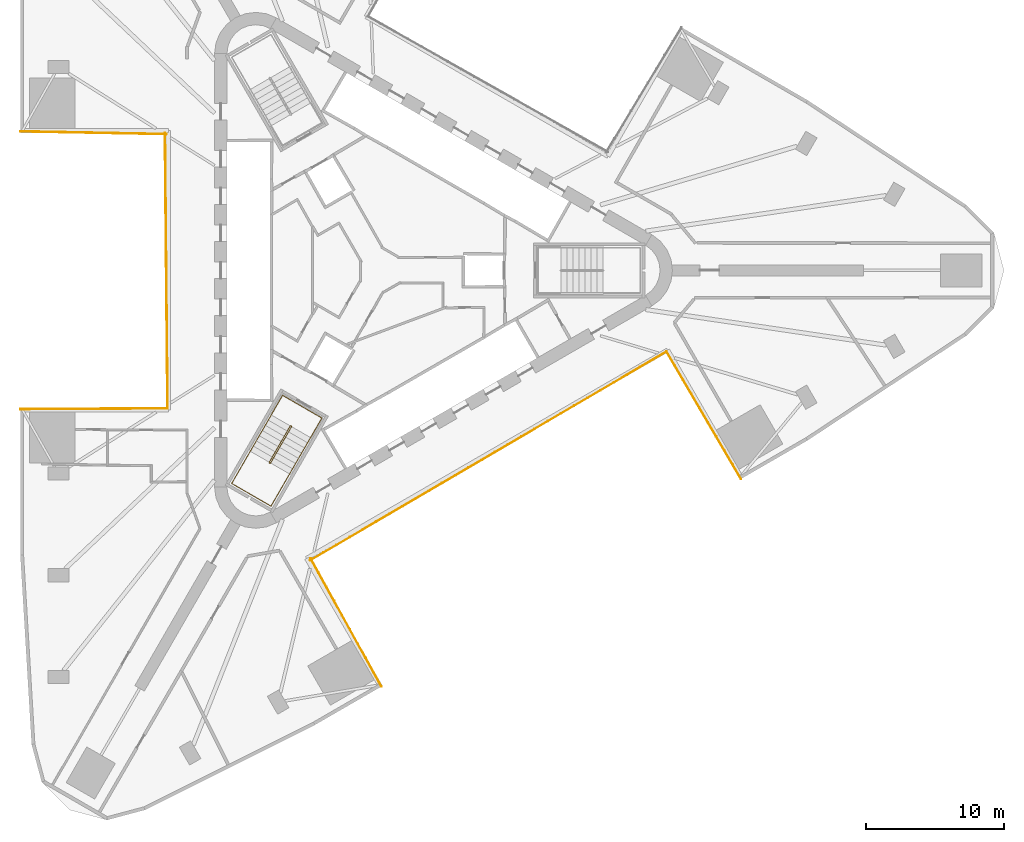
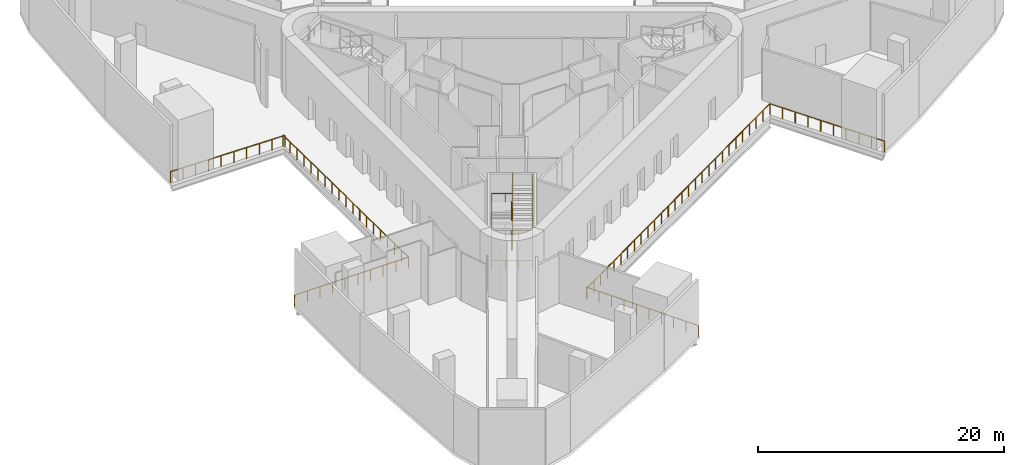
# One storey, part 9 of 11: 11 railings.
"""IFC4 building model written with IfcOpenShell, lengths in metres."""

import ifcopenshell
import ifcopenshell.guid

model = None  # the IFC model being written
_history = None  # IfcOwnerHistory: only IFC2X3 demands one
_inside = {}  # id of a spatial element -> (the spatial element, [elements in it])
_under = {}  # id of a project, library or spatial element -> (it, [spatial elements below it])
_declared = {}  # id of a project -> (the project, [libraries it declares])
_typed = {}  # id of a type object -> (the type object, [elements of that type])
_made_of = {}  # id of a material, layer set ... -> (it, [elements and type objects made of it])


def new_model(schema):
    """Start an empty IFC model of exactly this schema.

    Asked for "IFC4X3", IfcOpenShell would pick the latest addendum, in which some entities
    have other attributes; the version numbers below select the first issue.
    IFC2X3 requires an IfcOwnerHistory on every rooted entity: one is made here for all.
    """
    global model, _history
    if schema == "IFC4X3":
        model = ifcopenshell.file(schema_version=(4, 3, 0, 0))
    else:
        model = ifcopenshell.file(schema=schema)
    _inside.clear()
    _under.clear()
    _declared.clear()
    _typed.clear()
    _made_of.clear()
    _history = None
    if model.schema == "IFC2X3":
        org = make("IfcOrganization", Name="unknown")
        user = make(
            "IfcPersonAndOrganization",
            ThePerson=make("IfcPerson", FamilyName="unknown"),
            TheOrganization=org,
        )
        app = make(
            "IfcApplication",
            ApplicationDeveloper=org,
            Version="unknown",
            ApplicationFullName="unknown",
            ApplicationIdentifier="unknown",
        )
        _history = make(
            "IfcOwnerHistory",
            OwningUser=user,
            OwningApplication=app,
            ChangeAction="ADDED",
            CreationDate=0,
        )
    return model


def make(cls, **values):
    """One entity of the class cls with the attributes given. An attribute that is None is left unset."""
    return model.create_entity(
        cls, **{name: value for name, value in values.items() if value is not None}
    )


def rooted(cls, **values):
    """An entity with a GlobalId (a new one), such as an element, a storey or a relation."""
    return make(cls, GlobalId=ifcopenshell.guid.new(), OwnerHistory=_history, **values)


def si_unit(unit_type, name, prefix=None):
    """IfcSIUnit, for example si_unit("LENGTHUNIT", "METRE", prefix="MILLI")."""
    return make("IfcSIUnit", UnitType=unit_type, Prefix=prefix, Name=name)


def assignment(units):
    """IfcUnitAssignment: the units of a project."""
    return None if units is None else make("IfcUnitAssignment", Units=units)


def point(xyz):
    """IfcCartesianPoint."""
    return None if xyz is None else make("IfcCartesianPoint", Coordinates=xyz)


def direction(xyz):
    """IfcDirection."""
    return None if xyz is None else make("IfcDirection", DirectionRatios=xyz)


def frame(location, z_axis=None, x_axis=None):
    """IfcAxis2Placement3D, a coordinate frame: its origin and axes. An axis left out is left unset."""
    return make(
        "IfcAxis2Placement3D",
        Location=point(location),
        Axis=direction(z_axis),
        RefDirection=direction(x_axis),
    )


def frame_2d(location, x_axis=None):
    """IfcAxis2Placement2D, a coordinate frame in the plane: its origin and x axis."""
    return make(
        "IfcAxis2Placement2D", Location=point(location), RefDirection=direction(x_axis)
    )


def origin():
    """The frame at (0, 0, 0) with its axes left unset."""
    return frame((0.0, 0.0, 0.0))


def origin_2d():
    """The frame at (0, 0) in the plane with its x axis left unset."""
    return frame_2d((0.0, 0.0))


def place(relative_to, where):
    """IfcLocalPlacement: puts the frame where relative to a parent placement (None: the world)."""
    return make(
        "IfcLocalPlacement", PlacementRelTo=relative_to, RelativePlacement=where
    )


def context(
    kind, dimensions, precision=None, world=None, true_north=None, identifier=None
):
    """IfcGeometricRepresentationContext, for example the 3D "Model" context."""
    return make(
        "IfcGeometricRepresentationContext",
        ContextIdentifier=identifier,
        ContextType=kind,
        CoordinateSpaceDimension=dimensions,
        Precision=precision,
        WorldCoordinateSystem=world,
        TrueNorth=true_north,
    )


def subcontext(parent, identifier, kind, view, scale=None):
    """IfcGeometricRepresentationSubContext, for example "Body" below "Model"."""
    return make(
        "IfcGeometricRepresentationSubContext",
        ContextIdentifier=identifier,
        ContextType=kind,
        ParentContext=parent,
        TargetScale=scale,
        TargetView=view,
    )


def project(units=None, contexts=None):
    """IfcProject with its units and contexts."""
    return rooted(
        "IfcProject",
        Name="project",
        RepresentationContexts=contexts,
        UnitsInContext=assignment(units),
    )


def spatial(cls, under=None, at=None, **own):
    """A site, building, storey or space (cls), placed at a placement, below another one or the project."""
    s = rooted(cls, ObjectPlacement=at, **own)
    if under is not None:
        _under.setdefault(under.id(), (under, []))[1].append(s)
    return s


def profile(cls, at=None, kind="AREA", **sizes):
    """A parametric profile (cls). Its sizes go by their IFC names, for example OverallWidth=200.0."""
    return make(cls, ProfileType=kind, Position=at, **sizes)


def circle(**sizes):
    """IfcCircleProfileDef."""
    return profile("IfcCircleProfileDef", **sizes)


def extrude(swept, where, along, depth):
    """IfcExtrudedAreaSolid: the profile swept, set in the frame where, extruded along a direction by depth."""
    return make(
        "IfcExtrudedAreaSolid",
        SweptArea=swept,
        Position=where,
        ExtrudedDirection=direction(along),
        Depth=depth,
    )


def shape(context_of_items, identifier, shape_type, items):
    """IfcShapeRepresentation: the items that make up one representation, for example the "Body"."""
    return make(
        "IfcShapeRepresentation",
        ContextOfItems=context_of_items,
        RepresentationIdentifier=identifier,
        RepresentationType=shape_type,
        Items=items,
    )


def material(Name=None, Category=None):
    """IfcMaterial."""
    return make("IfcMaterial", Name=Name, Category=Category)


def made_of(thing, what):
    """Note that an element or type object is made of a material, layer set ...; save() writes the relation."""
    if what is not None:
        _made_of.setdefault(what.id(), (what, []))[1].append(thing)
    return thing


def type_object(cls, material=None, **own):
    """A type object (cls), such as IfcWallType, which elements share."""
    return made_of(rooted(cls, **own), material)


def element(
    cls,
    number,
    at=None,
    inside=None,
    cuts=None,
    type_object=None,
    material=None,
    context=None,
    identifier="Body",
    shape_type=None,
    held_by="IfcProductDefinitionShape",
    body=None,
    shapes=None,
    **own,
):
    """One element of the class cls, such as IfcWall. Its Tag is "e" and its number.

    at: its placement. inside: the storey or other place that contains it. cuts: it is an
    opening in that element (IfcRelVoidsElement). A single representation is given by context,
    identifier, shape_type and body (its items); several are given by shapes. held_by: the class
    of the entity that holds the representations. save() writes the other relations.
    """
    e = rooted(cls, Tag="e%d" % number, ObjectPlacement=at, **own)
    if body is not None:
        shapes = [shape(context, identifier, shape_type, body)]
    if shapes is not None:
        e.Representation = make(held_by, Representations=shapes)
    if inside is not None:
        _inside.setdefault(inside.id(), (inside, []))[1].append(e)
    if cuts is not None:
        rooted(
            "IfcRelVoidsElement", RelatingBuildingElement=cuts, RelatedOpeningElement=e
        )
    if type_object is not None:
        _typed.setdefault(type_object.id(), (type_object, []))[1].append(e)
    return made_of(e, material)


def aggregate(whole, parts):
    """IfcRelAggregates: a whole, such as a stair, and the parts it consists of."""
    return rooted("IfcRelAggregates", RelatingObject=whole, RelatedObjects=parts)


def save(model, path):
    """Write the relations noted so far, then the file.

    IfcRelAggregates (storeys below a building ...), IfcRelContainedInSpatialStructure (elements
    in a storey), IfcRelDefinesByType, IfcRelAssociatesMaterial and IfcRelDeclares: one each for
    every whole, place, type object, material and project.
    """
    for whole, parts in _under.values():
        aggregate(whole, parts)
    for where, things in _inside.values():
        rooted(
            "IfcRelContainedInSpatialStructure",
            RelatedElements=things,
            RelatingStructure=where,
        )
    for kind, things in _typed.values():
        rooted("IfcRelDefinesByType", RelatedObjects=things, RelatingType=kind)
    for what, things in _made_of.values():
        rooted("IfcRelAssociatesMaterial", RelatedObjects=things, RelatingMaterial=what)
    for by, libraries in _declared.values():
        rooted("IfcRelDeclares", RelatingContext=by, RelatedDefinitions=libraries)
    model.write(path)


model = new_model("IFC4")

# Units and contexts
model_context = context("Model", 3, precision=1e-05, world=origin(), true_north=direction((0.0, 1.0)))
body_context = subcontext(model_context, "Body", "Model", "MODEL_VIEW")
ifc_project = project(units=[si_unit("LENGTHUNIT", "METRE"), si_unit("AREAUNIT", "SQUARE_METRE"), si_unit("VOLUMEUNIT", "CUBIC_METRE"), si_unit("PLANEANGLEUNIT", "RADIAN"), si_unit("MASSUNIT", "GRAM", prefix="KILO")], contexts=[model_context])

# Site, building, storey
site_placement = place(None, origin())
site = spatial("IfcSite", under=ifc_project, at=site_placement, CompositionType="ELEMENT")
building_placement = place(site_placement, origin())
building = spatial("IfcBuilding", under=site, at=building_placement, Name="Tanit Gate Tower", CompositionType="ELEMENT")
storey_placement = place(building_placement, frame((0.0, 0.0, 15.5)))
storey = spatial("IfcBuildingStorey", under=building, at=storey_placement, Name="L02", CompositionType="ELEMENT", Elevation=15.5)

# Railings
ifc_material_1 = material(Name="Stainless steel", Category="steel")
railing_type_1 = type_object("IfcRailingType", Name="Guard 1100 stainless steel balustrade", PredefinedType="GUARDRAIL", material=ifc_material_1)
railing_1_placement = place(storey_placement, frame((-5.103759765625, -20.9599609375, 0.0)))
element("IfcRailing", 1, at=railing_1_placement, inside=storey, type_object=railing_type_1, Name="Tunnel edge guard L02 1", PredefinedType="GUARDRAIL", context=body_context, shape_type="SweptSolid", body=[
    extrude(circle(Radius=0.02392578125, at=origin_2d()), frame((0.0, 0.0, 1.076171875), z_axis=(0.483623614037, -0.875276070703, 0.0), x_axis=(0.875276070703, 0.483623614037, 0.0)), (0.0, 0.0, 1.0), 10.63134765625),
    extrude(circle(Radius=0.02099609375, at=origin_2d()), origin(), (0.0, 0.0, 1.0), 1.052001953125),
    extrude(circle(Radius=0.02099609375, at=origin_2d()), frame((0.5712890625, -1.033935546875, 0.0)), (0.0, 0.0, 1.0), 1.052001953125),
    extrude(circle(Radius=0.02099609375, at=origin_2d()), frame((1.142578125, -2.06787109375, 0.0)), (0.0, 0.0, 1.0), 1.052001953125),
    extrude(circle(Radius=0.02099609375, at=origin_2d()), frame((1.7138671875, -3.101806640625, 0.0)), (0.0, 0.0, 1.0), 1.052001953125),
    extrude(circle(Radius=0.02099609375, at=origin_2d()), frame((2.28515625, -4.1357421875, 0.0)), (0.0, 0.0, 1.0), 1.052001953125),
    extrude(circle(Radius=0.02099609375, at=origin_2d()), frame((2.8564453125, -5.169677734375, 0.0)), (0.0, 0.0, 1.0), 1.052001953125),
    extrude(circle(Radius=0.02099609375, at=origin_2d()), frame((3.427734375, -6.20361328125, 0.0)), (0.0, 0.0, 1.0), 1.052001953125),
    extrude(circle(Radius=0.02099609375, at=origin_2d()), frame((3.9990234375, -7.237548828125, 0.0)), (0.0, 0.0, 1.0), 1.052001953125),
    extrude(circle(Radius=0.02099609375, at=origin_2d()), frame((4.5703125, -8.271484375, 0.0)), (0.0, 0.0, 1.0), 1.052001953125),
    extrude(circle(Radius=0.02099609375, at=origin_2d()), frame((5.1416015625, -9.305419921875, 0.0)), (0.0, 0.0, 1.0), 1.052001953125),
])
railing_2_placement = place(storey_placement, frame((26.190673828125, -15.16357421875, 0.0)))
element("IfcRailing", 2, at=railing_2_placement, inside=storey, type_object=railing_type_1, Name="Tunnel edge guard L02 2", PredefinedType="GUARDRAIL", context=body_context, shape_type="SweptSolid", body=[
    extrude(circle(Radius=0.02392578125, at=origin_2d()), frame((0.0, 0.0, 1.076171875), z_axis=(-0.50536532766, 0.862905490537, 0.0), x_axis=(-0.862905490537, -0.50536532766, 0.0)), (0.0, 0.0, 1.0), 10.721923828125),
    extrude(circle(Radius=0.02099609375, at=origin_2d()), origin(), (0.0, 0.0, 1.0), 1.052001953125),
    extrude(circle(Radius=0.02099609375, at=origin_2d()), frame((-0.60205078125, 1.028076171875, 0.0)), (0.0, 0.0, 1.0), 1.052001953125),
    extrude(circle(Radius=0.02099609375, at=origin_2d()), frame((-1.2041015625, 2.055908203125, 0.0)), (0.0, 0.0, 1.0), 1.052001953125),
    extrude(circle(Radius=0.02099609375, at=origin_2d()), frame((-1.80615234375, 3.083984375, 0.0)), (0.0, 0.0, 1.0), 1.052001953125),
    extrude(circle(Radius=0.02099609375, at=origin_2d()), frame((-2.408203125, 4.112060546875, 0.0)), (0.0, 0.0, 1.0), 1.052001953125),
    extrude(circle(Radius=0.02099609375, at=origin_2d()), frame((-3.01025390625, 5.139892578125, 0.0)), (0.0, 0.0, 1.0), 1.052001953125),
    extrude(circle(Radius=0.02099609375, at=origin_2d()), frame((-3.6123046875, 6.16796875, 0.0)), (0.0, 0.0, 1.0), 1.052001953125),
    extrude(circle(Radius=0.02099609375, at=origin_2d()), frame((-4.21435546875, 7.196044921875, 0.0)), (0.0, 0.0, 1.0), 1.052001953125),
    extrude(circle(Radius=0.02099609375, at=origin_2d()), frame((-4.81640625, 8.223876953125, 0.0)), (0.0, 0.0, 1.0), 1.052001953125),
    extrude(circle(Radius=0.02099609375, at=origin_2d()), frame((-5.41845703125, 9.251953125, 0.0)), (0.0, 0.0, 1.0), 1.052001953125),
])
railing_3_placement = place(storey_placement, frame((20.772216796875, -5.91162109375, 0.0)))
element("IfcRailing", 3, at=railing_3_placement, inside=storey, type_object=railing_type_1, Name="Tunnel edge guard L02 2", PredefinedType="GUARDRAIL", context=body_context, shape_type="SweptSolid", body=[
    extrude(circle(Radius=0.02392578125, at=origin_2d()), frame((0.0, 0.0, 1.076171875), z_axis=(-0.862766200983, -0.505603087848, 0.0), x_axis=(0.505603087848, -0.862766200983, 0.0)), (0.0, 0.0, 1.0), 10.01123046875),
    extrude(circle(Radius=0.02099609375, at=origin_2d()), origin(), (0.0, 0.0, 1.0), 1.052001953125),
    extrude(circle(Radius=0.02099609375, at=origin_2d()), frame((-0.959716796875, -0.5625, 0.0)), (0.0, 0.0, 1.0), 1.052001953125),
    extrude(circle(Radius=0.02099609375, at=origin_2d()), frame((-1.91943359375, -1.124755859375, 0.0)), (0.0, 0.0, 1.0), 1.052001953125),
    extrude(circle(Radius=0.02099609375, at=origin_2d()), frame((-2.879150390625, -1.687255859375, 0.0)), (0.0, 0.0, 1.0), 1.052001953125),
    extrude(circle(Radius=0.02099609375, at=origin_2d()), frame((-3.8388671875, -2.249755859375, 0.0)), (0.0, 0.0, 1.0), 1.052001953125),
    extrude(circle(Radius=0.02099609375, at=origin_2d()), frame((-4.798583984375, -2.81201171875, 0.0)), (0.0, 0.0, 1.0), 1.052001953125),
    extrude(circle(Radius=0.02099609375, at=origin_2d()), frame((-5.75830078125, -3.37451171875, 0.0)), (0.0, 0.0, 1.0), 1.052001953125),
    extrude(circle(Radius=0.02099609375, at=origin_2d()), frame((-6.718017578125, -3.93701171875, 0.0)), (0.0, 0.0, 1.0), 1.052001953125),
    extrude(circle(Radius=0.02099609375, at=origin_2d()), frame((-7.677734375, -4.499267578125, 0.0)), (0.0, 0.0, 1.0), 1.052001953125),
    extrude(circle(Radius=0.02099609375, at=origin_2d()), frame((-8.637451171875, -5.061767578125, 0.0)), (0.0, 0.0, 1.0), 1.052001953125),
])
railing_4_placement = place(storey_placement, frame((12.134765625, -10.973388671875, 0.0)))
element("IfcRailing", 4, at=railing_4_placement, inside=storey, type_object=railing_type_1, Name="Tunnel edge guard L02 2", PredefinedType="GUARDRAIL", context=body_context, shape_type="SweptSolid", body=[
    extrude(circle(Radius=0.02392578125, at=origin_2d()), frame((0.0, 0.0, 1.076171875), z_axis=(-0.862783072124, -0.505574297662, 0.0), x_axis=(0.505574297662, -0.862783072124, 0.0)), (0.0, 0.0, 1.0), 10.011474609375),
    extrude(circle(Radius=0.02099609375, at=origin_2d()), origin(), (0.0, 0.0, 1.0), 1.052001953125),
    extrude(circle(Radius=0.02099609375, at=origin_2d()), frame((-0.959716796875, -0.5625, 0.0)), (0.0, 0.0, 1.0), 1.052001953125),
    extrude(circle(Radius=0.02099609375, at=origin_2d()), frame((-1.91943359375, -1.124755859375, 0.0)), (0.0, 0.0, 1.0), 1.052001953125),
    extrude(circle(Radius=0.02099609375, at=origin_2d()), frame((-2.879150390625, -1.687255859375, 0.0)), (0.0, 0.0, 1.0), 1.052001953125),
    extrude(circle(Radius=0.02099609375, at=origin_2d()), frame((-3.8388671875, -2.24951171875, 0.0)), (0.0, 0.0, 1.0), 1.052001953125),
    extrude(circle(Radius=0.02099609375, at=origin_2d()), frame((-4.798828125, -2.81201171875, 0.0)), (0.0, 0.0, 1.0), 1.052001953125),
    extrude(circle(Radius=0.02099609375, at=origin_2d()), frame((-5.758544921875, -3.374267578125, 0.0)), (0.0, 0.0, 1.0), 1.052001953125),
    extrude(circle(Radius=0.02099609375, at=origin_2d()), frame((-6.71826171875, -3.936767578125, 0.0)), (0.0, 0.0, 1.0), 1.052001953125),
    extrude(circle(Radius=0.02099609375, at=origin_2d()), frame((-7.677978515625, -4.4990234375, 0.0)), (0.0, 0.0, 1.0), 1.052001953125),
    extrude(circle(Radius=0.02099609375, at=origin_2d()), frame((-8.6376953125, -5.0615234375, 0.0)), (0.0, 0.0, 1.0), 1.052001953125),
])
railing_5_placement = place(storey_placement, frame((3.4970703125, -16.034912109375, 0.0)))
element("IfcRailing", 5, at=railing_5_placement, inside=storey, type_object=railing_type_1, Name="Tunnel edge guard L02 2", PredefinedType="GUARDRAIL", context=body_context, shape_type="SweptSolid", body=[
    extrude(circle(Radius=0.02392578125, at=origin_2d()), frame((0.0, 0.0, 1.076171875), z_axis=(-0.862766200983, -0.505603087848, 0.0), x_axis=(0.505603087848, -0.862766200983, 0.0)), (0.0, 0.0, 1.0), 10.01123046875),
    extrude(circle(Radius=0.02099609375, at=origin_2d()), origin(), (0.0, 0.0, 1.0), 1.052001953125),
    extrude(circle(Radius=0.02099609375, at=origin_2d()), frame((-0.959716796875, -0.5625, 0.0)), (0.0, 0.0, 1.0), 1.052001953125),
    extrude(circle(Radius=0.02099609375, at=origin_2d()), frame((-1.91943359375, -1.124755859375, 0.0)), (0.0, 0.0, 1.0), 1.052001953125),
    extrude(circle(Radius=0.02099609375, at=origin_2d()), frame((-2.879150390625, -1.687255859375, 0.0)), (0.0, 0.0, 1.0), 1.052001953125),
    extrude(circle(Radius=0.02099609375, at=origin_2d()), frame((-3.8388671875, -2.249755859375, 0.0)), (0.0, 0.0, 1.0), 1.052001953125),
    extrude(circle(Radius=0.02099609375, at=origin_2d()), frame((-4.798583984375, -2.81201171875, 0.0)), (0.0, 0.0, 1.0), 1.052001953125),
    extrude(circle(Radius=0.02099609375, at=origin_2d()), frame((-5.75830078125, -3.37451171875, 0.0)), (0.0, 0.0, 1.0), 1.052001953125),
    extrude(circle(Radius=0.02099609375, at=origin_2d()), frame((-6.718017578125, -3.93701171875, 0.0)), (0.0, 0.0, 1.0), 1.052001953125),
    extrude(circle(Radius=0.02099609375, at=origin_2d()), frame((-7.677734375, -4.499267578125, 0.0)), (0.0, 0.0, 1.0), 1.052001953125),
    extrude(circle(Radius=0.02099609375, at=origin_2d()), frame((-8.637451171875, -5.061767578125, 0.0)), (0.0, 0.0, 1.0), 1.052001953125),
])
railing_6_placement = place(storey_placement, frame((-15.60009765625, 9.89990234375, 0.0)))
element("IfcRailing", 6, at=railing_6_placement, inside=storey, type_object=railing_type_1, Name="Tunnel edge guard L02 3", PredefinedType="GUARDRAIL", context=body_context, shape_type="SweptSolid", body=[
    extrude(circle(Radius=0.02392578125, at=origin_2d()), frame((0.0, 0.0, 1.076171875), z_axis=(-0.99982266881, 0.018831647106, 0.0), x_axis=(-0.018831647106, -0.99982266881, 0.0)), (0.0, 0.0, 1.0), 10.630859375),
    extrude(circle(Radius=0.02099609375, at=origin_2d()), origin(), (0.0, 0.0, 1.0), 1.052001953125),
    extrude(circle(Radius=0.02099609375, at=origin_2d()), frame((-1.180908203125, 0.022216796875, 0.0)), (0.0, 0.0, 1.0), 1.052001953125),
    extrude(circle(Radius=0.02099609375, at=origin_2d()), frame((-2.362060546875, 0.04443359375, 0.0)), (0.0, 0.0, 1.0), 1.052001953125),
    extrude(circle(Radius=0.02099609375, at=origin_2d()), frame((-3.54296875, 0.066650390625, 0.0)), (0.0, 0.0, 1.0), 1.052001953125),
    extrude(circle(Radius=0.02099609375, at=origin_2d()), frame((-4.723876953125, 0.0888671875, 0.0)), (0.0, 0.0, 1.0), 1.052001953125),
    extrude(circle(Radius=0.02099609375, at=origin_2d()), frame((-5.905029296875, 0.111328125, 0.0)), (0.0, 0.0, 1.0), 1.052001953125),
    extrude(circle(Radius=0.02099609375, at=origin_2d()), frame((-7.0859375, 0.133544921875, 0.0)), (0.0, 0.0, 1.0), 1.052001953125),
    extrude(circle(Radius=0.02099609375, at=origin_2d()), frame((-8.266845703125, 0.15576171875, 0.0)), (0.0, 0.0, 1.0), 1.052001953125),
    extrude(circle(Radius=0.02099609375, at=origin_2d()), frame((-9.447998046875, 0.177978515625, 0.0)), (0.0, 0.0, 1.0), 1.052001953125),
    extrude(circle(Radius=0.02099609375, at=origin_2d()), frame((-10.62890625, 0.2001953125, 0.0)), (0.0, 0.0, 1.0), 1.052001953125),
])
railing_7_placement = place(storey_placement, frame((-26.227783203125, -10.10009765625, 0.0)))
element("IfcRailing", 7, at=railing_7_placement, inside=storey, type_object=railing_type_1, Name="Tunnel edge guard L02 4", PredefinedType="GUARDRAIL", context=body_context, shape_type="SweptSolid", body=[
    extrude(circle(Radius=0.02392578125, at=origin_2d()), frame((0.0, 0.0, 1.076171875), z_axis=(0.999987666554, 0.004966562124, 0.0), x_axis=(-0.004966562124, 0.999987666554, 0.0)), (0.0, 0.0, 1.0), 10.71630859375),
    extrude(circle(Radius=0.02099609375, at=origin_2d()), origin(), (0.0, 0.0, 1.0), 1.052001953125),
    extrude(circle(Radius=0.02099609375, at=origin_2d()), frame((1.190673828125, 0.005859375, 0.0)), (0.0, 0.0, 1.0), 1.052001953125),
    extrude(circle(Radius=0.02099609375, at=origin_2d()), frame((2.38134765625, 0.01171875, 0.0)), (0.0, 0.0, 1.0), 1.052001953125),
    extrude(circle(Radius=0.02099609375, at=origin_2d()), frame((3.572021484375, 0.017822265625, 0.0)), (0.0, 0.0, 1.0), 1.052001953125),
    extrude(circle(Radius=0.02099609375, at=origin_2d()), frame((4.7626953125, 0.023681640625, 0.0)), (0.0, 0.0, 1.0), 1.052001953125),
    extrude(circle(Radius=0.02099609375, at=origin_2d()), frame((5.953369140625, 0.029541015625, 0.0)), (0.0, 0.0, 1.0), 1.052001953125),
    extrude(circle(Radius=0.02099609375, at=origin_2d()), frame((7.14404296875, 0.035400390625, 0.0)), (0.0, 0.0, 1.0), 1.052001953125),
    extrude(circle(Radius=0.02099609375, at=origin_2d()), frame((8.334716796875, 0.04150390625, 0.0)), (0.0, 0.0, 1.0), 1.052001953125),
    extrude(circle(Radius=0.02099609375, at=origin_2d()), frame((9.525390625, 0.04736328125, 0.0)), (0.0, 0.0, 1.0), 1.052001953125),
    extrude(circle(Radius=0.02099609375, at=origin_2d()), frame((10.716064453125, 0.05322265625, 0.0)), (0.0, 0.0, 1.0), 1.052001953125),
])
railing_8_placement = place(storey_placement, frame((-15.51171875, -10.046875, 0.0)))
element("IfcRailing", 8, at=railing_8_placement, inside=storey, type_object=railing_type_1, Name="Tunnel edge guard L02 4", PredefinedType="GUARDRAIL", context=body_context, shape_type="SweptSolid", body=[
    extrude(circle(Radius=0.02392578125, at=origin_2d()), frame((0.0, 0.0, 1.076171875), z_axis=(-0.009401377171, 0.999955806077, 0.0), x_axis=(-0.999955806077, -0.009401377171, 0.0)), (0.0, 0.0, 1.0), 10.02392578125),
    extrude(circle(Radius=0.02099609375, at=origin_2d()), origin(), (0.0, 0.0, 1.0), 1.052001953125),
    extrude(circle(Radius=0.02099609375, at=origin_2d()), frame((-0.010498046875, 1.11376953125, 0.0)), (0.0, 0.0, 1.0), 1.052001953125),
    extrude(circle(Radius=0.02099609375, at=origin_2d()), frame((-0.02099609375, 2.2275390625, 0.0)), (0.0, 0.0, 1.0), 1.052001953125),
    extrude(circle(Radius=0.02099609375, at=origin_2d()), frame((-0.031494140625, 3.341064453125, 0.0)), (0.0, 0.0, 1.0), 1.052001953125),
    extrude(circle(Radius=0.02099609375, at=origin_2d()), frame((-0.0419921875, 4.454833984375, 0.0)), (0.0, 0.0, 1.0), 1.052001953125),
    extrude(circle(Radius=0.02099609375, at=origin_2d()), frame((-0.05224609375, 5.568603515625, 0.0)), (0.0, 0.0, 1.0), 1.052001953125),
    extrude(circle(Radius=0.02099609375, at=origin_2d()), frame((-0.062744140625, 6.682373046875, 0.0)), (0.0, 0.0, 1.0), 1.052001953125),
    extrude(circle(Radius=0.02099609375, at=origin_2d()), frame((-0.0732421875, 7.7958984375, 0.0)), (0.0, 0.0, 1.0), 1.052001953125),
    extrude(circle(Radius=0.02099609375, at=origin_2d()), frame((-0.083740234375, 8.90966796875, 0.0)), (0.0, 0.0, 1.0), 1.052001953125),
    extrude(circle(Radius=0.02099609375, at=origin_2d()), frame((-0.09423828125, 10.0234375, 0.0)), (0.0, 0.0, 1.0), 1.052001953125),
])
railing_9_placement = place(storey_placement, frame((-15.60595703125, -0.0234375, 0.0)))
element("IfcRailing", 9, at=railing_9_placement, inside=storey, type_object=railing_type_1, Name="Tunnel edge guard L02 4", PredefinedType="GUARDRAIL", context=body_context, shape_type="SweptSolid", body=[
    extrude(circle(Radius=0.02392578125, at=origin_2d()), frame((0.0, 0.0, 1.076171875), z_axis=(-0.009377023416, 0.999956034749, 0.0), x_axis=(-0.999956034749, -0.009377023416, 0.0)), (0.0, 0.0, 1.0), 10.02392578125),
    extrude(circle(Radius=0.02099609375, at=origin_2d()), origin(), (0.0, 0.0, 1.0), 1.052001953125),
    extrude(circle(Radius=0.02099609375, at=origin_2d()), frame((-0.010498046875, 1.11376953125, 0.0)), (0.0, 0.0, 1.0), 1.052001953125),
    extrude(circle(Radius=0.02099609375, at=origin_2d()), frame((-0.02099609375, 2.2275390625, 0.0)), (0.0, 0.0, 1.0), 1.052001953125),
    extrude(circle(Radius=0.02099609375, at=origin_2d()), frame((-0.03125, 3.341064453125, 0.0)), (0.0, 0.0, 1.0), 1.052001953125),
    extrude(circle(Radius=0.02099609375, at=origin_2d()), frame((-0.041748046875, 4.454833984375, 0.0)), (0.0, 0.0, 1.0), 1.052001953125),
    extrude(circle(Radius=0.02099609375, at=origin_2d()), frame((-0.05224609375, 5.568603515625, 0.0)), (0.0, 0.0, 1.0), 1.052001953125),
    extrude(circle(Radius=0.02099609375, at=origin_2d()), frame((-0.062744140625, 6.682373046875, 0.0)), (0.0, 0.0, 1.0), 1.052001953125),
    extrude(circle(Radius=0.02099609375, at=origin_2d()), frame((-0.072998046875, 7.7958984375, 0.0)), (0.0, 0.0, 1.0), 1.052001953125),
    extrude(circle(Radius=0.02099609375, at=origin_2d()), frame((-0.08349609375, 8.90966796875, 0.0)), (0.0, 0.0, 1.0), 1.052001953125),
    extrude(circle(Radius=0.02099609375, at=origin_2d()), frame((-0.093994140625, 10.0234375, 0.0)), (0.0, 0.0, 1.0), 1.052001953125),
])
ifc_material_2 = material(Name="Stainless steel balustrade", Category="steel")
railing_type_2 = type_object("IfcRailingType", Name="INT-STAIR-GUARD", PredefinedType="GUARDRAIL", material=ifc_material_2)
railing_10_placement = place(storey_placement, frame((-6.51806640625, -11.2998046875, 0.0)))
element("IfcRailing", 10, at=railing_10_placement, inside=storey, type_object=railing_type_2, Name="L02 S3 stair guard 1", PredefinedType="GUARDRAIL", context=body_context, shape_type="SweptSolid", body=[
    extrude(circle(Radius=0.02392578125, at=origin_2d()), frame((0.0, 0.0, 1.076171875), z_axis=(-0.874157276122, 0.485642931179, 0.0), x_axis=(-0.485642931179, -0.874157276122, 0.0)), (0.0, 0.0, 1.0), 0.010009765625),
    extrude(circle(Radius=0.02392578125, at=origin_2d()), frame((-0.0087890625, 0.0048828125, 1.076171875), z_axis=(-0.34113380443, -0.090156791171, 0.935681292151), x_axis=(0.255512919477, -0.966805641264, 0.0)), (0.0, 0.0, 1.0), 0.200439453125),
    extrude(circle(Radius=0.02392578125, at=origin_2d()), frame((-0.0771484375, -0.01318359375, 1.263671875), z_axis=(-0.459267510171, -0.795558940874, 0.395169995947), x_axis=(0.866048339477, -0.499960272111, 0.0)), (0.0, 0.0, 1.0), 3.3212890625),
    extrude(circle(Radius=0.02392578125, at=origin_2d()), frame((-1.6025390625, -2.655517578125, 2.576171875), z_axis=(0.258736085224, -0.965948051503, 0.0), x_axis=(0.965948051503, 0.258736085224, 0.0)), (0.0, 0.0, 1.0), 0.07080078125),
    extrude(circle(Radius=0.02392578125, at=origin_2d()), frame((-1.584228515625, -2.723876953125, 2.576171875), z_axis=(0.868243142124, -0.496138938357, 0.0), x_axis=(0.496138938357, 0.868243142124, 0.0)), (0.0, 0.0, 1.0), 0.009765625),
    extrude(circle(Radius=0.02392578125, at=origin_2d()), frame((-1.57568359375, -2.728759765625, 2.576171875), z_axis=(0.341096086969, 0.091365023295, 0.935577838543), x_axis=(-0.258736085224, 0.965948051503, 0.0)), (0.0, 0.0, 1.0), 0.200439453125),
    extrude(circle(Radius=0.02392578125, at=origin_2d()), frame((-1.50732421875, -2.71044921875, 2.763671875), z_axis=(0.459352369135, 0.79550509502, 0.395179762597), x_axis=(-0.865993683553, 0.500054937028, 0.0)), (0.0, 0.0, 1.0), 3.3212890625),
    extrude(circle(Radius=0.02392578125, at=origin_2d()), frame((0.018310546875, -0.068359375, 4.076171875), z_axis=(-0.258736085224, 0.965948051503, 0.0), x_axis=(-0.965948051503, -0.258736085224, 0.0)), (0.0, 0.0, 1.0), 0.07080078125),
    extrude(circle(Radius=0.02392578125, at=origin_2d()), frame((0.0, 0.0, 4.076171875), z_axis=(-0.874157276122, 0.485642931179, 0.0), x_axis=(-0.485642931179, -0.874157276122, 0.0)), (0.0, 0.0, 1.0), 0.010009765625),
    extrude(circle(Radius=0.02392578125, at=origin_2d()), frame((-0.0087890625, 0.0048828125, 4.076171875), z_axis=(-0.34113380443, -0.090156791171, 0.935681292151), x_axis=(0.255512919477, -0.966805641264, 0.0)), (0.0, 0.0, 1.0), 0.200439453125),
    extrude(circle(Radius=0.02392578125, at=origin_2d()), frame((-0.0771484375, -0.01318359375, 4.263671875), z_axis=(-0.459267510171, -0.795558940874, 0.395169995947), x_axis=(0.866048339477, -0.499960272111, 0.0)), (0.0, 0.0, 1.0), 3.3212890625),
    extrude(circle(Radius=0.02392578125, at=origin_2d()), frame((-1.6025390625, -2.655517578125, 5.576171875), z_axis=(0.258736085224, -0.965948051503, 0.0), x_axis=(0.965948051503, 0.258736085224, 0.0)), (0.0, 0.0, 1.0), 0.07080078125),
    extrude(circle(Radius=0.02392578125, at=origin_2d()), frame((-1.584228515625, -2.723876953125, 5.576171875), z_axis=(0.868243142124, -0.496138938357, 0.0), x_axis=(0.496138938357, 0.868243142124, 0.0)), (0.0, 0.0, 1.0), 0.009765625),
    extrude(circle(Radius=0.02392578125, at=origin_2d()), frame((-1.57568359375, -2.728759765625, 5.576171875), z_axis=(0.341096086969, 0.091365023295, 0.935577838543), x_axis=(-0.258736085224, 0.965948051503, 0.0)), (0.0, 0.0, 1.0), 0.200439453125),
    extrude(circle(Radius=0.02392578125, at=origin_2d()), frame((-1.50732421875, -2.71044921875, 5.763671875), z_axis=(0.459352369135, 0.79550509502, 0.395179762597), x_axis=(-0.865993683553, 0.500054937028, 0.0)), (0.0, 0.0, 1.0), 3.3212890625),
    extrude(circle(Radius=0.02099609375, at=origin_2d()), origin(), (0.0, 0.0, 1.0), 1.052001953125),
    extrude(circle(Radius=0.02099609375, at=origin_2d()), frame((-0.0087890625, 0.0048828125, 0.0)), (0.0, 0.0, 1.0), 1.052001953125),
    extrude(circle(Radius=0.02099609375, at=origin_2d()), frame((-0.0771484375, -0.01318359375, 0.1875)), (0.0, 0.0, 1.0), 1.052001953125),
    extrude(circle(Radius=0.02099609375, at=origin_2d()), frame((-0.585693359375, -0.89404296875, 0.625)), (0.0, 0.0, 1.0), 1.052001953125),
    extrude(circle(Radius=0.02099609375, at=origin_2d()), frame((-1.093994140625, -1.774658203125, 1.0625)), (0.0, 0.0, 1.0), 1.052001953125),
    extrude(circle(Radius=0.02099609375, at=origin_2d()), frame((-1.6025390625, -2.655517578125, 1.5)), (0.0, 0.0, 1.0), 1.052001953125),
    extrude(circle(Radius=0.02099609375, at=origin_2d()), frame((-1.584228515625, -2.723876953125, 1.5)), (0.0, 0.0, 1.0), 1.052001953125),
    extrude(circle(Radius=0.02099609375, at=origin_2d()), frame((-1.57568359375, -2.728759765625, 1.5)), (0.0, 0.0, 1.0), 1.052001953125),
    extrude(circle(Radius=0.02099609375, at=origin_2d()), frame((-1.50732421875, -2.71044921875, 1.6875)), (0.0, 0.0, 1.0), 1.052001953125),
    extrude(circle(Radius=0.02099609375, at=origin_2d()), frame((-0.998779296875, -1.829833984375, 2.125)), (0.0, 0.0, 1.0), 1.052001953125),
    extrude(circle(Radius=0.02099609375, at=origin_2d()), frame((-0.490234375, -0.948974609375, 2.5625)), (0.0, 0.0, 1.0), 1.052001953125),
    extrude(circle(Radius=0.02099609375, at=origin_2d()), frame((0.018310546875, -0.068359375, 3.0)), (0.0, 0.0, 1.0), 1.052001953125),
    extrude(circle(Radius=0.02099609375, at=origin_2d()), frame((0.0, 0.0, 3.0)), (0.0, 0.0, 1.0), 1.052001953125),
    extrude(circle(Radius=0.02099609375, at=origin_2d()), frame((-0.0087890625, 0.0048828125, 3.0)), (0.0, 0.0, 1.0), 1.052001953125),
    extrude(circle(Radius=0.02099609375, at=origin_2d()), frame((-0.0771484375, -0.01318359375, 3.1875)), (0.0, 0.0, 1.0), 1.052001953125),
    extrude(circle(Radius=0.02099609375, at=origin_2d()), frame((-0.585693359375, -0.89404296875, 3.625)), (0.0, 0.0, 1.0), 1.052001953125),
    extrude(circle(Radius=0.02099609375, at=origin_2d()), frame((-1.093994140625, -1.774658203125, 4.0625)), (0.0, 0.0, 1.0), 1.052001953125),
    extrude(circle(Radius=0.02099609375, at=origin_2d()), frame((-1.6025390625, -2.655517578125, 4.5)), (0.0, 0.0, 1.0), 1.052001953125),
    extrude(circle(Radius=0.02099609375, at=origin_2d()), frame((-1.584228515625, -2.723876953125, 4.5)), (0.0, 0.0, 1.0), 1.052001953125),
    extrude(circle(Radius=0.02099609375, at=origin_2d()), frame((-1.57568359375, -2.728759765625, 4.5)), (0.0, 0.0, 1.0), 1.052001953125),
    extrude(circle(Radius=0.02099609375, at=origin_2d()), frame((-1.50732421875, -2.71044921875, 4.6875)), (0.0, 0.0, 1.0), 1.052001953125),
    extrude(circle(Radius=0.02099609375, at=origin_2d()), frame((-0.998779296875, -1.829833984375, 5.125)), (0.0, 0.0, 1.0), 1.052001953125),
    extrude(circle(Radius=0.02099609375, at=origin_2d()), frame((-0.490234375, -0.948974609375, 5.5625)), (0.0, 0.0, 1.0), 1.052001953125),
    extrude(circle(Radius=0.02099609375, at=origin_2d()), frame((0.018310546875, -0.068359375, 6.0)), (0.0, 0.0, 1.0), 1.052001953125),
])
ifc_material_3 = material(Name="Stainless steel handrail", Category="steel")
railing_type_3 = type_object("IfcRailingType", Name="INT-STAIR-HANDRAIL", PredefinedType="HANDRAIL", material=ifc_material_3)
railing_11_placement = place(storey_placement, frame((-7.9765625, -10.515625, 0.1875)))
element("IfcRailing", 11, at=railing_11_placement, inside=storey, type_object=railing_type_3, Name="L02 S3 stair handrail 1", PredefinedType="HANDRAIL", context=body_context, shape_type="SweptSolid", body=[
    extrude(circle(Radius=0.02392578125, at=origin_2d()), frame((0.0, 0.0, 0.8759765625), z_axis=(-0.459267510171, -0.795558940874, 0.395169995947), x_axis=(0.866048339477, -0.499960272111, 0.0)), (0.0, 0.0, 1.0), 3.3212890625),
    extrude(circle(Radius=0.02392578125, at=origin_2d()), frame((-1.525390625, -2.642333984375, 2.1884765625), z_axis=(-0.50004290449, -0.866000631449, 0.0), x_axis=(0.866000631449, -0.50004290449, 0.0)), (0.0, 0.0, 1.0), 2.703857421875),
    extrude(circle(Radius=0.02392578125, at=origin_2d()), frame((-2.87744140625, -4.98388671875, 2.1884765625), z_axis=(0.866008176907, -0.50002983664, 0.0), x_axis=(0.50002983664, 0.866008176907, 0.0)), (0.0, 0.0, 1.0), 3.300048828125),
    extrude(circle(Radius=0.02392578125, at=origin_2d()), frame((-0.01953125, -6.634033203125, 2.1884765625), z_axis=(0.498806118336, 0.863948769787, 0.069173546205), x_axis=(-0.866023205937, 0.500003806764, 0.0)), (0.0, 0.0, 1.0), 2.710693359375),
    extrude(circle(Radius=0.02392578125, at=origin_2d()), frame((1.33251953125, -4.292236328125, 2.3759765625), z_axis=(0.459267510171, 0.795558940874, 0.395169995947), x_axis=(-0.866048339477, 0.499960272111, 0.0)), (0.0, 0.0, 1.0), 3.3212890625),
    extrude(circle(Radius=0.02392578125, at=origin_2d()), frame((2.85791015625, -1.64990234375, 3.6884765625), z_axis=(0.50001794124, 0.866015045157, 0.0), x_axis=(-0.866015045157, 0.50001794124, 0.0)), (0.0, 0.0, 1.0), 1.64501953125),
    extrude(circle(Radius=0.02392578125, at=origin_2d()), frame((3.680419921875, -0.225341796875, 3.6884765625), z_axis=(-0.866040211805, 0.499974350878, 0.0), x_axis=(-0.499974350878, -0.866040211805, 0.0)), (0.0, 0.0, 1.0), 3.300048828125),
    extrude(circle(Radius=0.02392578125, at=origin_2d()), frame((0.822509765625, 1.424560546875, 3.6884765625), z_axis=(-0.496801021229, -0.860443442824, 0.113251167796), x_axis=(0.866015045157, -0.50001794124, 0.0)), (0.0, 0.0, 1.0), 1.655517578125),
    extrude(circle(Radius=0.02392578125, at=origin_2d()), frame((0.0, 0.0, 3.8759765625), z_axis=(-0.459267510171, -0.795558940874, 0.395169995947), x_axis=(0.866048339477, -0.499960272111, 0.0)), (0.0, 0.0, 1.0), 3.3212890625),
    extrude(circle(Radius=0.02392578125, at=origin_2d()), frame((-1.525390625, -2.642333984375, 5.1884765625), z_axis=(-0.50004290449, -0.866000631449, 0.0), x_axis=(0.866000631449, -0.50004290449, 0.0)), (0.0, 0.0, 1.0), 2.703857421875),
    extrude(circle(Radius=0.02392578125, at=origin_2d()), frame((-2.87744140625, -4.98388671875, 5.1884765625), z_axis=(0.866008176907, -0.50002983664, 0.0), x_axis=(0.50002983664, 0.866008176907, 0.0)), (0.0, 0.0, 1.0), 3.300048828125),
    extrude(circle(Radius=0.02392578125, at=origin_2d()), frame((-0.01953125, -6.634033203125, 5.1884765625), z_axis=(0.498806118336, 0.863948769787, 0.069173546205), x_axis=(-0.866023205937, 0.500003806764, 0.0)), (0.0, 0.0, 1.0), 2.710693359375),
    extrude(circle(Radius=0.02392578125, at=origin_2d()), frame((1.33251953125, -4.292236328125, 5.3759765625), z_axis=(0.459267510171, 0.795558940874, 0.395169995947), x_axis=(-0.866048339477, 0.499960272111, 0.0)), (0.0, 0.0, 1.0), 3.3212890625),
    extrude(circle(Radius=0.02099609375, at=origin_2d()), origin(), (0.0, 0.0, 1.0), 0.851806640625),
    extrude(circle(Radius=0.02099609375, at=origin_2d()), frame((-0.508544921875, -0.880859375, 0.4375)), (0.0, 0.0, 1.0), 0.851806640625),
    extrude(circle(Radius=0.02099609375, at=origin_2d()), frame((-1.016845703125, -1.761474609375, 0.875)), (0.0, 0.0, 1.0), 0.851806640625),
    extrude(circle(Radius=0.02099609375, at=origin_2d()), frame((-1.525390625, -2.642333984375, 1.3125)), (0.0, 0.0, 1.0), 0.851806640625),
    extrude(circle(Radius=0.02099609375, at=origin_2d()), frame((-1.97607421875, -3.4228515625, 1.3125)), (0.0, 0.0, 1.0), 0.851806640625),
    extrude(circle(Radius=0.02099609375, at=origin_2d()), frame((-2.4267578125, -4.203369140625, 1.3125)), (0.0, 0.0, 1.0), 0.851806640625),
    extrude(circle(Radius=0.02099609375, at=origin_2d()), frame((-2.87744140625, -4.98388671875, 1.3125)), (0.0, 0.0, 1.0), 0.851806640625),
    extrude(circle(Radius=0.02099609375, at=origin_2d()), frame((-1.9248046875, -5.533935546875, 1.3125)), (0.0, 0.0, 1.0), 0.851806640625),
    extrude(circle(Radius=0.02099609375, at=origin_2d()), frame((-0.97216796875, -6.083984375, 1.3125)), (0.0, 0.0, 1.0), 0.851806640625),
    extrude(circle(Radius=0.02099609375, at=origin_2d()), frame((-0.01953125, -6.634033203125, 1.3125)), (0.0, 0.0, 1.0), 0.851806640625),
    extrude(circle(Radius=0.02099609375, at=origin_2d()), frame((0.43115234375, -5.853515625, 1.375)), (0.0, 0.0, 1.0), 0.851806640625),
    extrude(circle(Radius=0.02099609375, at=origin_2d()), frame((0.8818359375, -5.07275390625, 1.4375)), (0.0, 0.0, 1.0), 0.851806640625),
    extrude(circle(Radius=0.02099609375, at=origin_2d()), frame((1.33251953125, -4.292236328125, 1.5)), (0.0, 0.0, 1.0), 0.851806640625),
    extrude(circle(Radius=0.02099609375, at=origin_2d()), frame((1.841064453125, -3.411376953125, 1.9375)), (0.0, 0.0, 1.0), 0.851806640625),
    extrude(circle(Radius=0.02099609375, at=origin_2d()), frame((2.349365234375, -2.53076171875, 2.375)), (0.0, 0.0, 1.0), 0.851806640625),
    extrude(circle(Radius=0.02099609375, at=origin_2d()), frame((2.85791015625, -1.64990234375, 2.8125)), (0.0, 0.0, 1.0), 0.851806640625),
    extrude(circle(Radius=0.02099609375, at=origin_2d()), frame((3.26904296875, -0.9375, 2.8125)), (0.0, 0.0, 1.0), 0.851806640625),
    extrude(circle(Radius=0.02099609375, at=origin_2d()), frame((3.680419921875, -0.225341796875, 2.8125)), (0.0, 0.0, 1.0), 0.851806640625),
    extrude(circle(Radius=0.02099609375, at=origin_2d()), frame((2.727783203125, 0.32470703125, 2.8125)), (0.0, 0.0, 1.0), 0.851806640625),
    extrude(circle(Radius=0.02099609375, at=origin_2d()), frame((1.775146484375, 0.87451171875, 2.8125)), (0.0, 0.0, 1.0), 0.851806640625),
    extrude(circle(Radius=0.02099609375, at=origin_2d()), frame((0.822509765625, 1.424560546875, 2.8125)), (0.0, 0.0, 1.0), 0.851806640625),
    extrude(circle(Radius=0.02099609375, at=origin_2d()), frame((0.4111328125, 0.71240234375, 2.90625)), (0.0, 0.0, 1.0), 0.851806640625),
    extrude(circle(Radius=0.02099609375, at=origin_2d()), frame((0.0, 0.0, 3.0)), (0.0, 0.0, 1.0), 0.851806640625),
    extrude(circle(Radius=0.02099609375, at=origin_2d()), frame((-0.508544921875, -0.880859375, 3.4375)), (0.0, 0.0, 1.0), 0.851806640625),
    extrude(circle(Radius=0.02099609375, at=origin_2d()), frame((-1.016845703125, -1.761474609375, 3.875)), (0.0, 0.0, 1.0), 0.851806640625),
    extrude(circle(Radius=0.02099609375, at=origin_2d()), frame((-1.525390625, -2.642333984375, 4.3125)), (0.0, 0.0, 1.0), 0.851806640625),
    extrude(circle(Radius=0.02099609375, at=origin_2d()), frame((-1.97607421875, -3.4228515625, 4.3125)), (0.0, 0.0, 1.0), 0.851806640625),
    extrude(circle(Radius=0.02099609375, at=origin_2d()), frame((-2.4267578125, -4.203369140625, 4.3125)), (0.0, 0.0, 1.0), 0.851806640625),
    extrude(circle(Radius=0.02099609375, at=origin_2d()), frame((-2.87744140625, -4.98388671875, 4.3125)), (0.0, 0.0, 1.0), 0.851806640625),
    extrude(circle(Radius=0.02099609375, at=origin_2d()), frame((-1.9248046875, -5.533935546875, 4.3125)), (0.0, 0.0, 1.0), 0.851806640625),
    extrude(circle(Radius=0.02099609375, at=origin_2d()), frame((-0.97216796875, -6.083984375, 4.3125)), (0.0, 0.0, 1.0), 0.851806640625),
    extrude(circle(Radius=0.02099609375, at=origin_2d()), frame((-0.01953125, -6.634033203125, 4.3125)), (0.0, 0.0, 1.0), 0.851806640625),
    extrude(circle(Radius=0.02099609375, at=origin_2d()), frame((0.43115234375, -5.853515625, 4.375)), (0.0, 0.0, 1.0), 0.851806640625),
    extrude(circle(Radius=0.02099609375, at=origin_2d()), frame((0.8818359375, -5.07275390625, 4.4375)), (0.0, 0.0, 1.0), 0.851806640625),
    extrude(circle(Radius=0.02099609375, at=origin_2d()), frame((1.33251953125, -4.292236328125, 4.5)), (0.0, 0.0, 1.0), 0.851806640625),
    extrude(circle(Radius=0.02099609375, at=origin_2d()), frame((1.841064453125, -3.411376953125, 4.9375)), (0.0, 0.0, 1.0), 0.851806640625),
    extrude(circle(Radius=0.02099609375, at=origin_2d()), frame((2.349365234375, -2.53076171875, 5.375)), (0.0, 0.0, 1.0), 0.851806640625),
    extrude(circle(Radius=0.02099609375, at=origin_2d()), frame((2.85791015625, -1.64990234375, 5.8125)), (0.0, 0.0, 1.0), 0.851806640625),
])

save(model, "model.ifc")
